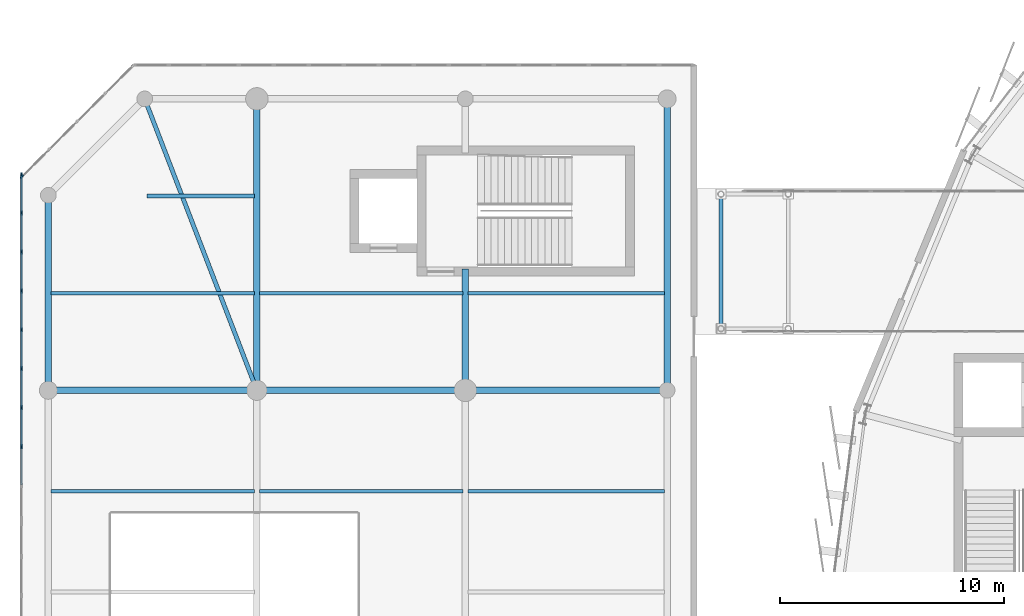
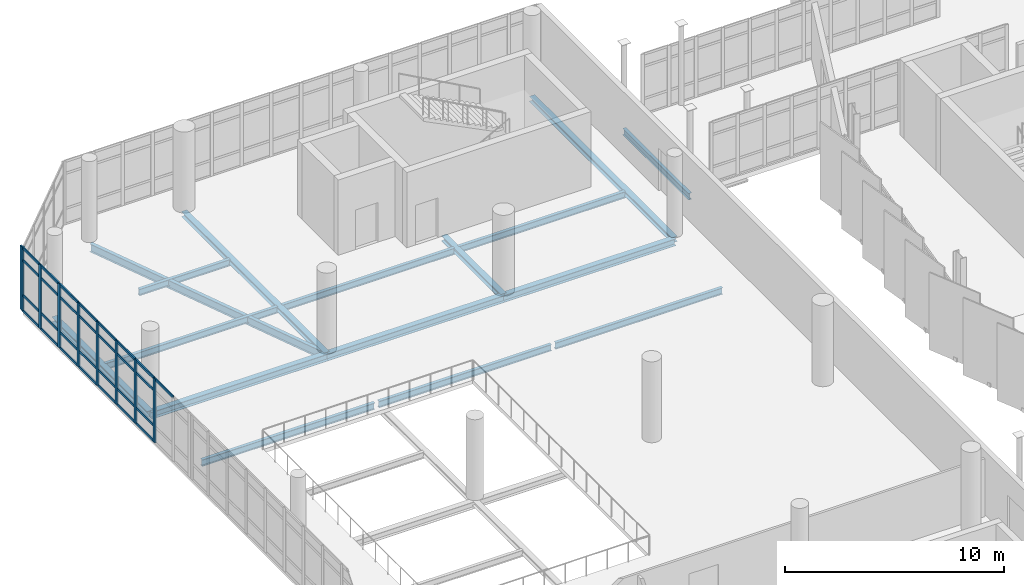
# One storey, part 47 of 125: 38 members, 16 beams, 2 elements without a shape of their own.
"""IFC4 building model written with IfcOpenShell, lengths in metres."""

from ifc_helpers import new_model, si_unit, direction, frame, origin, origin_2d, place, context, subcontext, project, spatial, rectangle, i_section, extrude, material, layer, layer_set, material_profile, profile_set, type_object, element, aggregate, save


model = new_model("IFC4")

# Units and contexts
model_context = context("Model", 3, precision=1e-05, world=origin(), true_north=direction((0.0, 1.0)))
body_context = subcontext(model_context, "Body", "Model", "MODEL_VIEW")
ifc_project = project(units=[si_unit("LENGTHUNIT", "METRE"), si_unit("AREAUNIT", "SQUARE_METRE"), si_unit("VOLUMEUNIT", "CUBIC_METRE"), si_unit("PLANEANGLEUNIT", "RADIAN"), si_unit("MASSUNIT", "GRAM", prefix="KILO")], contexts=[model_context])

# Site, building, storey
site_placement = place(None, origin())
site = spatial("IfcSite", under=ifc_project, at=site_placement, CompositionType="ELEMENT")
building_placement = place(site_placement, origin())
building = spatial("IfcBuilding", under=site, at=building_placement, Name="Sohan Crest Arena", CompositionType="ELEMENT")
storey_placement = place(building_placement, frame((0.0, 0.0, 9.0)))
storey = spatial("IfcBuildingStorey", under=building, at=storey_placement, Name="L02", CompositionType="ELEMENT", Elevation=9.0)

# Curtain wall, member
ifc_material_1 = material(Name="Thermally broken anodised aluminium", Category="aluminium")
ifc_layer_1 = layer(ifc_material_1, 0.199951171875, Name="Thermally broken anodised aluminium")
ifc_layer_set_1 = layer_set([ifc_layer_1], Name="Thermally broken anodised aluminium")
curtain_wall_type_1 = type_object("IfcCurtainWallType", Name="ARC-CW02", PredefinedType="NOTDEFINED", material=ifc_layer_set_1)
curtain_wall_1_placement = place(storey_placement, origin())
curtain_wall_1 = element("IfcCurtainWall", 1, at=curtain_wall_1_placement, inside=storey, type_object=curtain_wall_type_1, Name="Unitised curtain wall CW-215", PredefinedType="NOTDEFINED")
ifc_material_profile_1 = material_profile(ifc_material_1, rectangle(XDim=0.06494140625, YDim=0.179931640625, at=origin_2d()), Name="ALU-MULL 65x180")
ifc_profile_set_1 = profile_set([ifc_material_profile_1], Name="Thermally broken anodised aluminium")
member_type_1 = type_object("IfcMemberType", Name="ARC-CW-ML02", PredefinedType="MULLION", material=ifc_profile_set_1)
member_1_placement = place(storey_placement, frame((14.02294921875, 101.02294921875, 0.0), z_axis=(0.0, 0.0, 1.0), x_axis=(0.707106781187, -0.707106781187, 0.0)))
member_1 = element("IfcMember", 2, at=member_1_placement, type_object=member_type_1, Name="CW-215 mullion 5", PredefinedType="MULLION", context=body_context, shape_type="SweptSolid", body=[
    extrude(rectangle(XDim=0.06494140625, YDim=0.179931640625, at=origin_2d()), origin(), (0.0, 0.0, 1.0), 3.550048828125),
])
aggregate(curtain_wall_1, [member_1])

# Curtain wall, members
ifc_layer_2 = layer(ifc_material_1, 0.219970703125, Name="Thermally broken anodised aluminium")
ifc_layer_set_2 = layer_set([ifc_layer_2], Name="Thermally broken anodised aluminium")
curtain_wall_type_2 = type_object("IfcCurtainWallType", Name="ARC-CW03", PredefinedType="NOTDEFINED", material=ifc_layer_set_2)
curtain_wall_2_placement = place(storey_placement, origin())
curtain_wall_2 = element("IfcCurtainWall", 3, at=curtain_wall_2_placement, inside=storey, type_object=curtain_wall_type_2, Name="Unitised curtain wall CW-216", PredefinedType="NOTDEFINED")
ifc_material_profile_2 = material_profile(ifc_material_1, rectangle(XDim=0.070068359375, YDim=0.199951171875, at=origin_2d()), Name="ALU-MULL 70x200")
ifc_profile_set_2 = profile_set([ifc_material_profile_2], Name="Thermally broken anodised aluminium")
member_type_2 = type_object("IfcMemberType", Name="ARC-CW-ML03", PredefinedType="MULLION", material=ifc_profile_set_2)
member_2_placement = place(storey_placement, frame((14.0, 101.114990234375, 0.0), z_axis=(0.0, 0.0, 1.0), x_axis=(1.0, 0.0, 0.0)))
member_2 = element("IfcMember", 4, at=member_2_placement, type_object=member_type_2, Name="CW-216 mullion 1", PredefinedType="MULLION", context=body_context, shape_type="SweptSolid", body=[
    extrude(rectangle(XDim=0.070068359375, YDim=0.199951171875, at=origin_2d()), origin(), (0.0, 0.0, 1.0), 3.550048828125),
])
member_3_placement = place(storey_placement, frame((14.0, 99.4130859375, 0.0), z_axis=(0.0, 0.0, 1.0), x_axis=(1.0, 0.0, 0.0)))
member_3 = element("IfcMember", 5, at=member_3_placement, type_object=member_type_2, Name="CW-216 mullion 2", PredefinedType="MULLION", context=body_context, shape_type="SweptSolid", body=[
    extrude(rectangle(XDim=0.070068359375, YDim=0.199951171875, at=origin_2d()), origin(), (0.0, 0.0, 1.0), 3.550048828125),
])
member_4_placement = place(storey_placement, frame((14.0, 97.676025390625, 0.0), z_axis=(0.0, 0.0, 1.0), x_axis=(1.0, 0.0, 0.0)))
member_4 = element("IfcMember", 6, at=member_4_placement, type_object=member_type_2, Name="CW-216 mullion 3", PredefinedType="MULLION", context=body_context, shape_type="SweptSolid", body=[
    extrude(rectangle(XDim=0.070068359375, YDim=0.199951171875, at=origin_2d()), origin(), (0.0, 0.0, 1.0), 3.550048828125),
])
member_5_placement = place(storey_placement, frame((14.0, 95.93896484375, 0.0), z_axis=(0.0, 0.0, 1.0), x_axis=(1.0, 0.0, 0.0)))
member_5 = element("IfcMember", 7, at=member_5_placement, type_object=member_type_2, Name="CW-216 mullion 4", PredefinedType="MULLION", context=body_context, shape_type="SweptSolid", body=[
    extrude(rectangle(XDim=0.070068359375, YDim=0.199951171875, at=origin_2d()), origin(), (0.0, 0.0, 1.0), 3.550048828125),
])
member_6_placement = place(storey_placement, frame((14.0, 94.201904296875, 0.0), z_axis=(0.0, 0.0, 1.0), x_axis=(1.0, 0.0, 0.0)))
member_6 = element("IfcMember", 8, at=member_6_placement, type_object=member_type_2, Name="CW-216 mullion 5", PredefinedType="MULLION", context=body_context, shape_type="SweptSolid", body=[
    extrude(rectangle(XDim=0.070068359375, YDim=0.199951171875, at=origin_2d()), origin(), (0.0, 0.0, 1.0), 3.550048828125),
])
member_7_placement = place(storey_placement, frame((14.0, 92.465087890625, 0.0), z_axis=(0.0, 0.0, 1.0), x_axis=(1.0, 0.0, 0.0)))
member_7 = element("IfcMember", 9, at=member_7_placement, type_object=member_type_2, Name="CW-216 mullion 6", PredefinedType="MULLION", context=body_context, shape_type="SweptSolid", body=[
    extrude(rectangle(XDim=0.070068359375, YDim=0.199951171875, at=origin_2d()), origin(), (0.0, 0.0, 1.0), 3.550048828125),
])
member_8_placement = place(storey_placement, frame((14.0, 90.72802734375, 0.0), z_axis=(0.0, 0.0, 1.0), x_axis=(1.0, 0.0, 0.0)))
member_8 = element("IfcMember", 10, at=member_8_placement, type_object=member_type_2, Name="CW-216 mullion 7", PredefinedType="MULLION", context=body_context, shape_type="SweptSolid", body=[
    extrude(rectangle(XDim=0.070068359375, YDim=0.199951171875, at=origin_2d()), origin(), (0.0, 0.0, 1.0), 3.550048828125),
])
member_9_placement = place(storey_placement, frame((14.0, 88.990966796875, 0.0), z_axis=(0.0, 0.0, 1.0), x_axis=(1.0, 0.0, 0.0)))
member_9 = element("IfcMember", 11, at=member_9_placement, type_object=member_type_2, Name="CW-216 mullion 8", PredefinedType="MULLION", context=body_context, shape_type="SweptSolid", body=[
    extrude(rectangle(XDim=0.070068359375, YDim=0.199951171875, at=origin_2d()), origin(), (0.0, 0.0, 1.0), 3.550048828125),
])
ifc_material_profile_3 = material_profile(ifc_material_1, rectangle(XDim=0.06494140625, YDim=0.139892578125, at=origin_2d()), Name="ALU-TRAN 65x140")
ifc_profile_set_3 = profile_set([ifc_material_profile_3], Name="Thermally broken anodised aluminium")
member_type_3 = type_object("IfcMemberType", Name="ARC-CW-TR02", PredefinedType="USERDEFINED", material=ifc_profile_set_3)
member_10_placement = place(storey_placement, frame((14.0, 101.080078125, 0.032470703125), z_axis=(0.0, -1.0, 0.0), x_axis=(1.0, 0.0, 0.0)))
member_10 = element("IfcMember", 12, at=member_10_placement, type_object=member_type_3, Name="CW-216 transom 1.1", ObjectType="TRANSOM", PredefinedType="USERDEFINED", context=body_context, shape_type="SweptSolid", body=[
    extrude(rectangle(XDim=0.06494140625, YDim=0.139892578125, at=origin_2d()), origin(), (0.0, 0.0, 1.0), 1.632080078125),
])
member_11_placement = place(storey_placement, frame((14.0, 101.080078125, 0.89990234375), z_axis=(0.0, -1.0, 0.0), x_axis=(1.0, 0.0, 0.0)))
member_11 = element("IfcMember", 13, at=member_11_placement, type_object=member_type_3, Name="CW-216 transom 1.2", ObjectType="TRANSOM", PredefinedType="USERDEFINED", context=body_context, shape_type="SweptSolid", body=[
    extrude(rectangle(XDim=0.06494140625, YDim=0.139892578125, at=origin_2d()), origin(), (0.0, 0.0, 1.0), 1.632080078125),
])
member_12_placement = place(storey_placement, frame((14.0, 101.080078125, 2.85009765625), z_axis=(0.0, -1.0, 0.0), x_axis=(1.0, 0.0, 0.0)))
member_12 = element("IfcMember", 14, at=member_12_placement, type_object=member_type_3, Name="CW-216 transom 1.3", ObjectType="TRANSOM", PredefinedType="USERDEFINED", context=body_context, shape_type="SweptSolid", body=[
    extrude(rectangle(XDim=0.06494140625, YDim=0.139892578125, at=origin_2d()), origin(), (0.0, 0.0, 1.0), 1.632080078125),
])
member_13_placement = place(storey_placement, frame((14.0, 101.080078125, 3.517578125), z_axis=(0.0, -1.0, 0.0), x_axis=(1.0, 0.0, 0.0)))
member_13 = element("IfcMember", 15, at=member_13_placement, type_object=member_type_3, Name="CW-216 transom 1.4", ObjectType="TRANSOM", PredefinedType="USERDEFINED", context=body_context, shape_type="SweptSolid", body=[
    extrude(rectangle(XDim=0.06494140625, YDim=0.139892578125, at=origin_2d()), origin(), (0.0, 0.0, 1.0), 1.632080078125),
])
member_14_placement = place(storey_placement, frame((14.0, 99.3779296875, 0.032470703125), z_axis=(0.0, -1.0, 0.0), x_axis=(1.0, 0.0, 0.0)))
member_14 = element("IfcMember", 16, at=member_14_placement, type_object=member_type_3, Name="CW-216 transom 2.1", ObjectType="TRANSOM", PredefinedType="USERDEFINED", context=body_context, shape_type="SweptSolid", body=[
    extrude(rectangle(XDim=0.06494140625, YDim=0.139892578125, at=origin_2d()), origin(), (0.0, 0.0, 1.0), 1.6669921875),
])
member_15_placement = place(storey_placement, frame((14.0, 99.3779296875, 0.89990234375), z_axis=(0.0, -1.0, 0.0), x_axis=(1.0, 0.0, 0.0)))
member_15 = element("IfcMember", 17, at=member_15_placement, type_object=member_type_3, Name="CW-216 transom 2.2", ObjectType="TRANSOM", PredefinedType="USERDEFINED", context=body_context, shape_type="SweptSolid", body=[
    extrude(rectangle(XDim=0.06494140625, YDim=0.139892578125, at=origin_2d()), origin(), (0.0, 0.0, 1.0), 1.6669921875),
])
member_16_placement = place(storey_placement, frame((14.0, 99.3779296875, 2.85009765625), z_axis=(0.0, -1.0, 0.0), x_axis=(1.0, 0.0, 0.0)))
member_16 = element("IfcMember", 18, at=member_16_placement, type_object=member_type_3, Name="CW-216 transom 2.3", ObjectType="TRANSOM", PredefinedType="USERDEFINED", context=body_context, shape_type="SweptSolid", body=[
    extrude(rectangle(XDim=0.06494140625, YDim=0.139892578125, at=origin_2d()), origin(), (0.0, 0.0, 1.0), 1.6669921875),
])
member_17_placement = place(storey_placement, frame((14.0, 99.3779296875, 3.517578125), z_axis=(0.0, -1.0, 0.0), x_axis=(1.0, 0.0, 0.0)))
member_17 = element("IfcMember", 19, at=member_17_placement, type_object=member_type_3, Name="CW-216 transom 2.4", ObjectType="TRANSOM", PredefinedType="USERDEFINED", context=body_context, shape_type="SweptSolid", body=[
    extrude(rectangle(XDim=0.06494140625, YDim=0.139892578125, at=origin_2d()), origin(), (0.0, 0.0, 1.0), 1.6669921875),
])
member_18_placement = place(storey_placement, frame((14.0, 97.64111328125, 0.032470703125), z_axis=(0.0, -1.0, 0.0), x_axis=(1.0, 0.0, 0.0)))
member_18 = element("IfcMember", 20, at=member_18_placement, type_object=member_type_3, Name="CW-216 transom 3.1", ObjectType="TRANSOM", PredefinedType="USERDEFINED", context=body_context, shape_type="SweptSolid", body=[
    extrude(rectangle(XDim=0.06494140625, YDim=0.139892578125, at=origin_2d()), origin(), (0.0, 0.0, 1.0), 1.6669921875),
])
member_19_placement = place(storey_placement, frame((14.0, 97.64111328125, 0.89990234375), z_axis=(0.0, -1.0, 0.0), x_axis=(1.0, 0.0, 0.0)))
member_19 = element("IfcMember", 21, at=member_19_placement, type_object=member_type_3, Name="CW-216 transom 3.2", ObjectType="TRANSOM", PredefinedType="USERDEFINED", context=body_context, shape_type="SweptSolid", body=[
    extrude(rectangle(XDim=0.06494140625, YDim=0.139892578125, at=origin_2d()), origin(), (0.0, 0.0, 1.0), 1.6669921875),
])
member_20_placement = place(storey_placement, frame((14.0, 97.64111328125, 2.85009765625), z_axis=(0.0, -1.0, 0.0), x_axis=(1.0, 0.0, 0.0)))
member_20 = element("IfcMember", 22, at=member_20_placement, type_object=member_type_3, Name="CW-216 transom 3.3", ObjectType="TRANSOM", PredefinedType="USERDEFINED", context=body_context, shape_type="SweptSolid", body=[
    extrude(rectangle(XDim=0.06494140625, YDim=0.139892578125, at=origin_2d()), origin(), (0.0, 0.0, 1.0), 1.6669921875),
])
member_21_placement = place(storey_placement, frame((14.0, 97.64111328125, 3.517578125), z_axis=(0.0, -1.0, 0.0), x_axis=(1.0, 0.0, 0.0)))
member_21 = element("IfcMember", 23, at=member_21_placement, type_object=member_type_3, Name="CW-216 transom 3.4", ObjectType="TRANSOM", PredefinedType="USERDEFINED", context=body_context, shape_type="SweptSolid", body=[
    extrude(rectangle(XDim=0.06494140625, YDim=0.139892578125, at=origin_2d()), origin(), (0.0, 0.0, 1.0), 1.6669921875),
])
member_22_placement = place(storey_placement, frame((14.0, 95.904052734375, 0.032470703125), z_axis=(0.0, -1.0, 0.0), x_axis=(1.0, 0.0, 0.0)))
member_22 = element("IfcMember", 24, at=member_22_placement, type_object=member_type_3, Name="CW-216 transom 4.1", ObjectType="TRANSOM", PredefinedType="USERDEFINED", context=body_context, shape_type="SweptSolid", body=[
    extrude(rectangle(XDim=0.06494140625, YDim=0.139892578125, at=origin_2d()), origin(), (0.0, 0.0, 1.0), 1.6669921875),
])
member_23_placement = place(storey_placement, frame((14.0, 95.904052734375, 0.89990234375), z_axis=(0.0, -1.0, 0.0), x_axis=(1.0, 0.0, 0.0)))
member_23 = element("IfcMember", 25, at=member_23_placement, type_object=member_type_3, Name="CW-216 transom 4.2", ObjectType="TRANSOM", PredefinedType="USERDEFINED", context=body_context, shape_type="SweptSolid", body=[
    extrude(rectangle(XDim=0.06494140625, YDim=0.139892578125, at=origin_2d()), origin(), (0.0, 0.0, 1.0), 1.6669921875),
])
member_24_placement = place(storey_placement, frame((14.0, 95.904052734375, 2.85009765625), z_axis=(0.0, -1.0, 0.0), x_axis=(1.0, 0.0, 0.0)))
member_24 = element("IfcMember", 26, at=member_24_placement, type_object=member_type_3, Name="CW-216 transom 4.3", ObjectType="TRANSOM", PredefinedType="USERDEFINED", context=body_context, shape_type="SweptSolid", body=[
    extrude(rectangle(XDim=0.06494140625, YDim=0.139892578125, at=origin_2d()), origin(), (0.0, 0.0, 1.0), 1.6669921875),
])
member_25_placement = place(storey_placement, frame((14.0, 95.904052734375, 3.517578125), z_axis=(0.0, -1.0, 0.0), x_axis=(1.0, 0.0, 0.0)))
member_25 = element("IfcMember", 27, at=member_25_placement, type_object=member_type_3, Name="CW-216 transom 4.4", ObjectType="TRANSOM", PredefinedType="USERDEFINED", context=body_context, shape_type="SweptSolid", body=[
    extrude(rectangle(XDim=0.06494140625, YDim=0.139892578125, at=origin_2d()), origin(), (0.0, 0.0, 1.0), 1.6669921875),
])
member_26_placement = place(storey_placement, frame((14.0, 94.1669921875, 0.032470703125), z_axis=(0.0, -1.0, 0.0), x_axis=(1.0, 0.0, 0.0)))
member_26 = element("IfcMember", 28, at=member_26_placement, type_object=member_type_3, Name="CW-216 transom 5.1", ObjectType="TRANSOM", PredefinedType="USERDEFINED", context=body_context, shape_type="SweptSolid", body=[
    extrude(rectangle(XDim=0.06494140625, YDim=0.139892578125, at=origin_2d()), origin(), (0.0, 0.0, 1.0), 1.6669921875),
])
member_27_placement = place(storey_placement, frame((14.0, 94.1669921875, 0.89990234375), z_axis=(0.0, -1.0, 0.0), x_axis=(1.0, 0.0, 0.0)))
member_27 = element("IfcMember", 29, at=member_27_placement, type_object=member_type_3, Name="CW-216 transom 5.2", ObjectType="TRANSOM", PredefinedType="USERDEFINED", context=body_context, shape_type="SweptSolid", body=[
    extrude(rectangle(XDim=0.06494140625, YDim=0.139892578125, at=origin_2d()), origin(), (0.0, 0.0, 1.0), 1.6669921875),
])
member_28_placement = place(storey_placement, frame((14.0, 94.1669921875, 2.85009765625), z_axis=(0.0, -1.0, 0.0), x_axis=(1.0, 0.0, 0.0)))
member_28 = element("IfcMember", 30, at=member_28_placement, type_object=member_type_3, Name="CW-216 transom 5.3", ObjectType="TRANSOM", PredefinedType="USERDEFINED", context=body_context, shape_type="SweptSolid", body=[
    extrude(rectangle(XDim=0.06494140625, YDim=0.139892578125, at=origin_2d()), origin(), (0.0, 0.0, 1.0), 1.6669921875),
])
member_29_placement = place(storey_placement, frame((14.0, 94.1669921875, 3.517578125), z_axis=(0.0, -1.0, 0.0), x_axis=(1.0, 0.0, 0.0)))
member_29 = element("IfcMember", 31, at=member_29_placement, type_object=member_type_3, Name="CW-216 transom 5.4", ObjectType="TRANSOM", PredefinedType="USERDEFINED", context=body_context, shape_type="SweptSolid", body=[
    extrude(rectangle(XDim=0.06494140625, YDim=0.139892578125, at=origin_2d()), origin(), (0.0, 0.0, 1.0), 1.6669921875),
])
member_30_placement = place(storey_placement, frame((14.0, 92.429931640625, 0.032470703125), z_axis=(0.0, -1.0, 0.0), x_axis=(1.0, 0.0, 0.0)))
member_30 = element("IfcMember", 32, at=member_30_placement, type_object=member_type_3, Name="CW-216 transom 6.1", ObjectType="TRANSOM", PredefinedType="USERDEFINED", context=body_context, shape_type="SweptSolid", body=[
    extrude(rectangle(XDim=0.06494140625, YDim=0.139892578125, at=origin_2d()), origin(), (0.0, 0.0, 1.0), 1.6669921875),
])
member_31_placement = place(storey_placement, frame((14.0, 92.429931640625, 0.89990234375), z_axis=(0.0, -1.0, 0.0), x_axis=(1.0, 0.0, 0.0)))
member_31 = element("IfcMember", 33, at=member_31_placement, type_object=member_type_3, Name="CW-216 transom 6.2", ObjectType="TRANSOM", PredefinedType="USERDEFINED", context=body_context, shape_type="SweptSolid", body=[
    extrude(rectangle(XDim=0.06494140625, YDim=0.139892578125, at=origin_2d()), origin(), (0.0, 0.0, 1.0), 1.6669921875),
])
member_32_placement = place(storey_placement, frame((14.0, 92.429931640625, 2.85009765625), z_axis=(0.0, -1.0, 0.0), x_axis=(1.0, 0.0, 0.0)))
member_32 = element("IfcMember", 34, at=member_32_placement, type_object=member_type_3, Name="CW-216 transom 6.3", ObjectType="TRANSOM", PredefinedType="USERDEFINED", context=body_context, shape_type="SweptSolid", body=[
    extrude(rectangle(XDim=0.06494140625, YDim=0.139892578125, at=origin_2d()), origin(), (0.0, 0.0, 1.0), 1.6669921875),
])
member_33_placement = place(storey_placement, frame((14.0, 92.429931640625, 3.517578125), z_axis=(0.0, -1.0, 0.0), x_axis=(1.0, 0.0, 0.0)))
member_33 = element("IfcMember", 35, at=member_33_placement, type_object=member_type_3, Name="CW-216 transom 6.4", ObjectType="TRANSOM", PredefinedType="USERDEFINED", context=body_context, shape_type="SweptSolid", body=[
    extrude(rectangle(XDim=0.06494140625, YDim=0.139892578125, at=origin_2d()), origin(), (0.0, 0.0, 1.0), 1.6669921875),
])
member_34_placement = place(storey_placement, frame((14.0, 90.693115234375, 0.032470703125), z_axis=(0.0, -1.0, 0.0), x_axis=(1.0, 0.0, 0.0)))
member_34 = element("IfcMember", 36, at=member_34_placement, type_object=member_type_3, Name="CW-216 transom 7.1", ObjectType="TRANSOM", PredefinedType="USERDEFINED", context=body_context, shape_type="SweptSolid", body=[
    extrude(rectangle(XDim=0.06494140625, YDim=0.139892578125, at=origin_2d()), origin(), (0.0, 0.0, 1.0), 1.667236328125),
])
member_35_placement = place(storey_placement, frame((14.0, 90.693115234375, 0.89990234375), z_axis=(0.0, -1.0, 0.0), x_axis=(1.0, 0.0, 0.0)))
member_35 = element("IfcMember", 37, at=member_35_placement, type_object=member_type_3, Name="CW-216 transom 7.2", ObjectType="TRANSOM", PredefinedType="USERDEFINED", context=body_context, shape_type="SweptSolid", body=[
    extrude(rectangle(XDim=0.06494140625, YDim=0.139892578125, at=origin_2d()), origin(), (0.0, 0.0, 1.0), 1.667236328125),
])
member_36_placement = place(storey_placement, frame((14.0, 90.693115234375, 2.85009765625), z_axis=(0.0, -1.0, 0.0), x_axis=(1.0, 0.0, 0.0)))
member_36 = element("IfcMember", 38, at=member_36_placement, type_object=member_type_3, Name="CW-216 transom 7.3", ObjectType="TRANSOM", PredefinedType="USERDEFINED", context=body_context, shape_type="SweptSolid", body=[
    extrude(rectangle(XDim=0.06494140625, YDim=0.139892578125, at=origin_2d()), origin(), (0.0, 0.0, 1.0), 1.667236328125),
])
member_37_placement = place(storey_placement, frame((14.0, 90.693115234375, 3.517578125), z_axis=(0.0, -1.0, 0.0), x_axis=(1.0, 0.0, 0.0)))
member_37 = element("IfcMember", 39, at=member_37_placement, type_object=member_type_3, Name="CW-216 transom 7.4", ObjectType="TRANSOM", PredefinedType="USERDEFINED", context=body_context, shape_type="SweptSolid", body=[
    extrude(rectangle(XDim=0.06494140625, YDim=0.139892578125, at=origin_2d()), origin(), (0.0, 0.0, 1.0), 1.667236328125),
])
member_38_placement = place(storey_placement, frame((14.0, 88.9560546875, 3.517578125), z_axis=(0.0, -1.0, 0.0), x_axis=(1.0, 0.0, 0.0)))
member_38 = element("IfcMember", 40, at=member_38_placement, type_object=member_type_3, Name="CW-216 transom 8.4", ObjectType="TRANSOM", PredefinedType="USERDEFINED", context=body_context, shape_type="SweptSolid", body=[
    extrude(rectangle(XDim=0.06494140625, YDim=0.139892578125, at=origin_2d()), origin(), (0.0, 0.0, 1.0), 1.6669921875),
])
aggregate(curtain_wall_2, [member_2, member_3, member_4, member_5, member_6, member_7, member_8, member_9, member_10, member_11, member_12, member_13, member_14, member_15, member_16, member_17, member_18, member_19, member_20, member_21, member_22, member_23, member_24, member_25, member_26, member_27, member_28, member_29, member_30, member_31, member_32, member_33, member_34, member_35, member_36, member_37, member_38])

# Beams
ifc_material_2 = material(Name="Steel S355", Category="steel")
ifc_material_profile_4 = material_profile(ifc_material_2, i_section(OverallWidth=0.169921875, OverallDepth=0.360107421875, WebThickness=0.008056640625, FlangeThickness=0.0126953125, at=origin_2d()), Name="IPE 360")
ifc_profile_set_4 = profile_set([ifc_material_profile_4], Name="Steel S355")
beam_type_1 = type_object("IfcBeamType", Name="STR-BM-B02", PredefinedType="JOIST", material=ifc_profile_set_4)
for number, where, z_axis, x_axis, name in (
    (41, (15.31005859375, 87.0, -0.389892578125), (1.0, 0.0, 0.0), (0.0, 1.0, 0.0), "Structural beam J-L02-2069"),
    (42, (24.610107421875, 87.0, -0.389892578125), (1.0, 0.0, 0.0), (0.0, 1.0, 0.0), "Structural beam J-L02-2071"),
):
    element("IfcBeam", number, at=place(storey_placement, frame(where, z_axis=z_axis, x_axis=x_axis)), inside=storey, type_object=beam_type_1, Name=name, PredefinedType="JOIST", context=body_context, shape_type="SweptSolid", body=[
        extrude(i_section(OverallWidth=0.169921875, OverallDepth=0.360107421875, WebThickness=0.008056640625, FlangeThickness=0.0126953125, at=origin_2d()), origin(), (0.0, 0.0, 1.0), 9.079833984375),
    ])
beam_1_placement = place(storey_placement, frame((33.909912109375, 87.0, -0.389892578125), z_axis=(1.0, 0.0, 0.0), x_axis=(0.0, 1.0, 0.0)))
element("IfcBeam", 43, at=beam_1_placement, inside=storey, type_object=beam_type_1, Name="Structural beam J-L02-2074", PredefinedType="JOIST", context=body_context, shape_type="SweptSolid", body=[
    extrude(i_section(OverallWidth=0.169921875, OverallDepth=0.360107421875, WebThickness=0.008056640625, FlangeThickness=0.0126953125, at=origin_2d()), origin(), (0.0, 0.0, 1.0), 8.780029296875),
])
beam_2_placement = place(storey_placement, frame((15.31005859375, 95.8330078125, -0.389892578125), z_axis=(1.0, 0.0, 0.0), x_axis=(0.0, 1.0, 0.0)))
element("IfcBeam", 44, at=beam_2_placement, inside=storey, type_object=beam_type_1, Name="Structural beam J-L02-2076", PredefinedType="JOIST", context=body_context, shape_type="SweptSolid", body=[
    extrude(i_section(OverallWidth=0.169921875, OverallDepth=0.360107421875, WebThickness=0.008056640625, FlangeThickness=0.0126953125, at=origin_2d()), origin(), (0.0, 0.0, 1.0), 9.079833984375),
])
beam_3_placement = place(storey_placement, frame((19.610107421875, 100.1669921875, -0.389892578125), z_axis=(1.0, 0.0, 0.0), x_axis=(0.0, 1.0, 0.0)))
element("IfcBeam", 45, at=beam_3_placement, inside=storey, type_object=beam_type_1, Name="Structural beam J-L02-2077", PredefinedType="JOIST", context=body_context, shape_type="SweptSolid", body=[
    extrude(i_section(OverallWidth=0.169921875, OverallDepth=0.360107421875, WebThickness=0.008056640625, FlangeThickness=0.0126953125, at=origin_2d()), origin(), (0.0, 0.0, 1.0), 4.77978515625),
])
beam_4_placement = place(storey_placement, frame((24.610107421875, 95.8330078125, -0.389892578125), z_axis=(1.0, 0.0, 0.0), x_axis=(0.0, 1.0, 0.0)))
element("IfcBeam", 46, at=beam_4_placement, inside=storey, type_object=beam_type_1, Name="Structural beam J-L02-2079", PredefinedType="JOIST", context=body_context, shape_type="SweptSolid", body=[
    extrude(i_section(OverallWidth=0.169921875, OverallDepth=0.360107421875, WebThickness=0.008056640625, FlangeThickness=0.0126953125, at=origin_2d()), origin(), (0.0, 0.0, 1.0), 9.079833984375),
])
beam_5_placement = place(storey_placement, frame((33.909912109375, 95.8330078125, -0.389892578125), z_axis=(1.0, 0.0, 0.0), x_axis=(0.0, 1.0, 0.0)))
element("IfcBeam", 47, at=beam_5_placement, inside=storey, type_object=beam_type_1, Name="Structural beam J-L02-2081", PredefinedType="JOIST", context=body_context, shape_type="SweptSolid", body=[
    extrude(i_section(OverallWidth=0.169921875, OverallDepth=0.360107421875, WebThickness=0.008056640625, FlangeThickness=0.0126953125, at=origin_2d()), origin(), (0.0, 0.0, 1.0), 8.780029296875),
])
beam_6_placement = place(storey_placement, frame((45.199951171875, 94.25, -0.455078125), z_axis=(0.0, 1.0, 0.0), x_axis=(-1.0, 0.0, 0.0)))
element("IfcBeam", 48, at=beam_6_placement, inside=storey, type_object=beam_type_1, Name="Structural beam BG-L02-2950", PredefinedType="JOIST", context=body_context, shape_type="SweptSolid", body=[
    extrude(i_section(OverallWidth=0.169921875, OverallDepth=0.360107421875, WebThickness=0.008056640625, FlangeThickness=0.0126953125, at=origin_2d()), origin(), (0.0, 0.0, 1.0), 6.0),
])
ifc_material_profile_5 = material_profile(ifc_material_2, i_section(OverallWidth=0.18994140625, OverallDepth=0.449951171875, WebThickness=0.009521484375, FlangeThickness=0.0146484375, at=origin_2d()), Name="IPE 450")
ifc_profile_set_5 = profile_set([ifc_material_profile_5], Name="Steel S355")
beam_type_2 = type_object("IfcBeamType", Name="STR-BM-B04", PredefinedType="JOIST", material=ifc_profile_set_5)
beam_7_placement = place(storey_placement, frame((19.5390625, 104.39697265625, -0.43505859375), z_axis=(0.359050685685, -0.933318062136, 0.0), x_axis=(0.933318062136, 0.359050685685, 0.0)))
element("IfcBeam", 49, at=beam_7_placement, inside=storey, type_object=beam_type_2, Name="Structural beam J-L02-2088", PredefinedType="JOIST", context=body_context, shape_type="SweptSolid", body=[
    extrude(i_section(OverallWidth=0.18994140625, OverallDepth=0.449951171875, WebThickness=0.009521484375, FlangeThickness=0.0146484375, at=origin_2d()), origin(), (0.0, 0.0, 1.0), 13.7080078125),
])
ifc_material_profile_6 = material_profile(ifc_material_2, i_section(OverallWidth=0.300048828125, OverallDepth=0.2900390625, WebThickness=0.008544921875, FlangeThickness=0.013916015625, at=origin_2d()), Name="HEA 300")
ifc_profile_set_6 = profile_set([ifc_material_profile_6], Name="Steel S355")
beam_type_3 = type_object("IfcBeamType", Name="STR-BM-B08", PredefinedType="BEAM", material=ifc_profile_set_6)
beam_8_placement = place(storey_placement, frame((15.199951171875, 91.5, -0.35498046875), z_axis=(0.0, 1.0, 0.0), x_axis=(-1.0, 0.0, 0.0)))
element("IfcBeam", 50, at=beam_8_placement, inside=storey, type_object=beam_type_3, Name="Structural beam G-L02-2037", PredefinedType="BEAM", context=body_context, shape_type="SweptSolid", body=[
    extrude(i_section(OverallWidth=0.300048828125, OverallDepth=0.2900390625, WebThickness=0.008544921875, FlangeThickness=0.013916015625, at=origin_2d()), origin(), (0.0, 0.0, 1.0), 8.699951171875),
])
beam_9_placement = place(storey_placement, frame((24.5, 91.5, -0.35498046875), z_axis=(0.0, 1.0, 0.0), x_axis=(-1.0, 0.0, 0.0)))
element("IfcBeam", 51, at=beam_9_placement, inside=storey, type_object=beam_type_3, Name="Structural beam G-L02-2041", PredefinedType="BEAM", context=body_context, shape_type="SweptSolid", body=[
    extrude(i_section(OverallWidth=0.300048828125, OverallDepth=0.2900390625, WebThickness=0.008544921875, FlangeThickness=0.013916015625, at=origin_2d()), origin(), (0.0, 0.0, 1.0), 13.0),
])
beam_10_placement = place(storey_placement, frame((33.800048828125, 91.5, -0.35498046875), z_axis=(0.0, 1.0, 0.0), x_axis=(-1.0, 0.0, 0.0)))
element("IfcBeam", 52, at=beam_10_placement, inside=storey, type_object=beam_type_3, Name="Structural beam G-L02-2046", PredefinedType="BEAM", context=body_context, shape_type="SweptSolid", body=[
    extrude(i_section(OverallWidth=0.300048828125, OverallDepth=0.2900390625, WebThickness=0.008544921875, FlangeThickness=0.013916015625, at=origin_2d()), origin(), (0.0, 0.0, 1.0), 5.419921875),
])
beam_11_placement = place(storey_placement, frame((42.800048828125, 91.5, -0.35498046875), z_axis=(0.0, 1.0, 0.0), x_axis=(-1.0, 0.0, 0.0)))
element("IfcBeam", 53, at=beam_11_placement, inside=storey, type_object=beam_type_3, Name="Structural beam G-L02-2051", PredefinedType="BEAM", context=body_context, shape_type="SweptSolid", body=[
    extrude(i_section(OverallWidth=0.300048828125, OverallDepth=0.2900390625, WebThickness=0.008544921875, FlangeThickness=0.013916015625, at=origin_2d()), origin(), (0.0, 0.0, 1.0), 13.0),
])
ifc_material_profile_7 = material_profile(ifc_material_2, i_section(OverallWidth=0.300048828125, OverallDepth=0.389892578125, WebThickness=0.010986328125, FlangeThickness=0.01904296875, at=origin_2d()), Name="HEA 400")
ifc_profile_set_7 = profile_set([ifc_material_profile_7], Name="Steel S355")
beam_type_4 = type_object("IfcBeamType", Name="STR-BM-B09", PredefinedType="BEAM", material=ifc_profile_set_7)
for number, where, z_axis, x_axis, name in (
    (54, (15.199951171875, 91.5, -0.405029296875), (1.0, 0.0, 0.0), (0.0, 1.0, 0.0), "Structural beam G-L02-2075"),
    (55, (24.5, 91.5, -0.405029296875), (1.0, 0.0, 0.0), (0.0, 1.0, 0.0), "Structural beam G-L02-2078"),
):
    element("IfcBeam", number, at=place(storey_placement, frame(where, z_axis=z_axis, x_axis=x_axis)), inside=storey, type_object=beam_type_4, Name=name, PredefinedType="BEAM", context=body_context, shape_type="SweptSolid", body=[
        extrude(i_section(OverallWidth=0.300048828125, OverallDepth=0.389892578125, WebThickness=0.010986328125, FlangeThickness=0.01904296875, at=origin_2d()), origin(), (0.0, 0.0, 1.0), 9.300048828125),
    ])
beam_12_placement = place(storey_placement, frame((33.800048828125, 91.5, -0.405029296875), z_axis=(1.0, 0.0, 0.0), x_axis=(0.0, 1.0, 0.0)))
element("IfcBeam", 56, at=beam_12_placement, inside=storey, type_object=beam_type_4, Name="Structural beam G-L02-2080", PredefinedType="BEAM", context=body_context, shape_type="SweptSolid", body=[
    extrude(i_section(OverallWidth=0.300048828125, OverallDepth=0.389892578125, WebThickness=0.010986328125, FlangeThickness=0.01904296875, at=origin_2d()), origin(), (0.0, 0.0, 1.0), 9.0),
])

save(model, "model.ifc")
